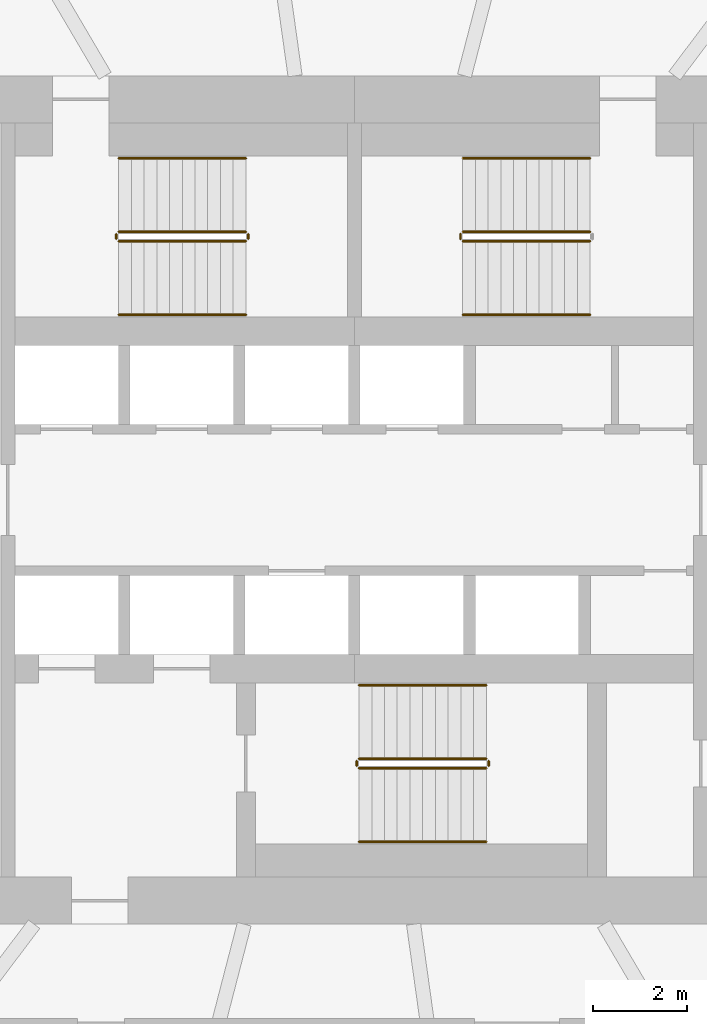
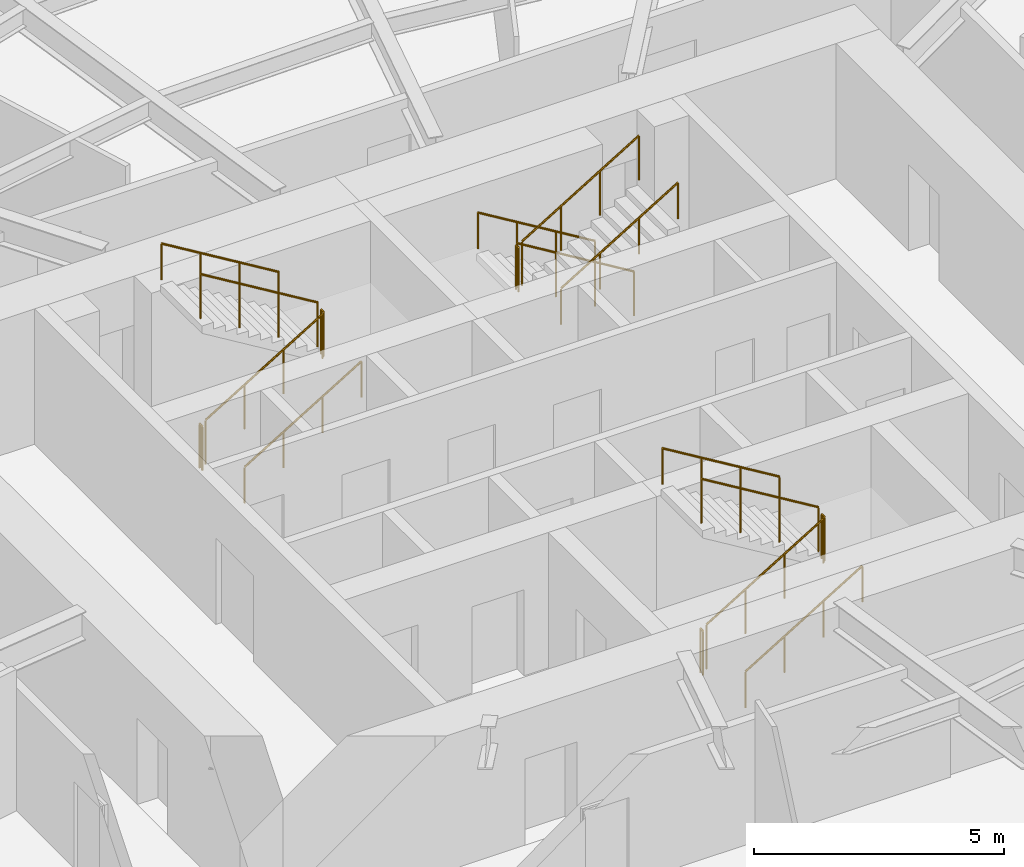
# One storey, part 13 of 16: 17 railings.
"""IFC4 building model written with IfcOpenShell, lengths in metres."""

from ifc_helpers import new_model, si_unit, direction, frame, origin, origin_2d, place, context, subcontext, project, spatial, circle, extrude, material, type_object, element, save


model = new_model("IFC4")

# Units and contexts
model_context = context("Model", 3, precision=1e-05, world=origin(), true_north=direction((0.0, 1.0)))
body_context = subcontext(model_context, "Body", "Model", "MODEL_VIEW")
ifc_project = project(units=[si_unit("LENGTHUNIT", "METRE"), si_unit("AREAUNIT", "SQUARE_METRE"), si_unit("VOLUMEUNIT", "CUBIC_METRE"), si_unit("PLANEANGLEUNIT", "RADIAN"), si_unit("MASSUNIT", "GRAM", prefix="KILO")], contexts=[model_context])

# Site, building, storey
site_placement = place(None, origin())
site = spatial("IfcSite", under=ifc_project, at=site_placement, CompositionType="ELEMENT")
building_placement = place(site_placement, origin())
building = spatial("IfcBuilding", under=site, at=building_placement, Name="Vermilion Reach Broadcast Tower", CompositionType="ELEMENT")
storey_placement = place(building_placement, frame((0.0, 0.0, 103.0)))
storey = spatial("IfcBuildingStorey", under=building, at=storey_placement, Name="L23", CompositionType="ELEMENT", Elevation=103.0)

# Railings
ifc_material_1 = material(Name="Stainless steel", Category="steel")
railing_type_1 = type_object("IfcRailingType", Name="Stair guard 1100", PredefinedType="GUARDRAIL", material=ifc_material_1)
railing_1_placement = place(storey_placement, frame((-11.0, 5.489990234375, 0.16357421875)))
element("IfcRailing", 1, at=railing_1_placement, inside=storey, type_object=railing_type_1, Name="L23 ST1 stair guard 1", PredefinedType="GUARDRAIL", context=body_context, shape_type="SweptSolid", body=[
    extrude(circle(Radius=0.02392578125, at=origin_2d()), frame((0.0, 0.0, 1.076171875), z_axis=(0.855178096276, 0.0, 0.518334277904), x_axis=(0.0, 1.0, 0.0)), (0.0, 0.0, 1.0), 3.1572265625),
    extrude(circle(Radius=0.02099609375, at=origin_2d()), origin(), (0.0, 0.0, 1.0), 1.052001953125),
    extrude(circle(Radius=0.02099609375, at=origin_2d()), frame((0.89990234375, 0.0, 0.54541015625)), (0.0, 0.0, 1.0), 1.052001953125),
    extrude(circle(Radius=0.02099609375, at=origin_2d()), frame((1.800048828125, 0.0, 1.091064453125)), (0.0, 0.0, 1.0), 1.052001953125),
    extrude(circle(Radius=0.02099609375, at=origin_2d()), frame((2.699951171875, 0.0, 1.636474609375)), (0.0, 0.0, 1.0), 1.052001953125),
])
railing_2_placement = place(storey_placement, frame((-8.25, 5.5400390625, 1.800048828125)))
element("IfcRailing", 2, at=railing_2_placement, inside=storey, type_object=railing_type_1, Name="L23 ST1 stair guard 2", PredefinedType="GUARDRAIL", context=body_context, shape_type="SweptSolid", body=[
    extrude(circle(Radius=0.02392578125, at=origin_2d()), frame((0.0, 0.0, 1.076171875), z_axis=(0.0, 1.0, 0.0), x_axis=(-1.0, 0.0, 0.0)), (0.0, 0.0, 1.0), 0.099853515625),
    extrude(circle(Radius=0.02099609375, at=origin_2d()), origin(), (0.0, 0.0, 1.0), 1.052001953125),
    extrude(circle(Radius=0.02099609375, at=origin_2d()), frame((0.0, 0.099853515625, 0.0)), (0.0, 0.0, 1.0), 1.052001953125),
])
railing_3_placement = place(storey_placement, frame((-8.300048828125, 5.68994140625, 1.963623046875)))
element("IfcRailing", 3, at=railing_3_placement, inside=storey, type_object=railing_type_1, Name="L23 ST1 stair guard 3", PredefinedType="GUARDRAIL", context=body_context, shape_type="SweptSolid", body=[
    extrude(circle(Radius=0.02392578125, at=origin_2d()), frame((0.0, 0.0, 1.076171875), z_axis=(-0.855178096276, 0.0, 0.518334277904), x_axis=(0.0, -1.0, 0.0)), (0.0, 0.0, 1.0), 3.1572265625),
    extrude(circle(Radius=0.02099609375, at=origin_2d()), origin(), (0.0, 0.0, 1.0), 1.052001953125),
    extrude(circle(Radius=0.02099609375, at=origin_2d()), frame((-0.89990234375, 0.0, 0.54541015625)), (0.0, 0.0, 1.0), 1.052001953125),
    extrude(circle(Radius=0.02099609375, at=origin_2d()), frame((-1.800048828125, 0.0, 1.091064453125)), (0.0, 0.0, 1.0), 1.052001953125),
    extrude(circle(Radius=0.02099609375, at=origin_2d()), frame((-2.699951171875, 0.0, 1.636474609375)), (0.0, 0.0, 1.0), 1.052001953125),
])
railing_4_placement = place(storey_placement, frame((-11.050048828125, 5.5400390625, 0.0)))
element("IfcRailing", 4, at=railing_4_placement, inside=storey, type_object=railing_type_1, Name="L23 ST1 stair guard 4", PredefinedType="GUARDRAIL", context=body_context, shape_type="SweptSolid", body=[
    extrude(circle(Radius=0.02392578125, at=origin_2d()), frame((0.0, 0.0, 1.076171875), z_axis=(0.0, 1.0, 0.0), x_axis=(-1.0, 0.0, 0.0)), (0.0, 0.0, 1.0), 0.099853515625),
    extrude(circle(Radius=0.02099609375, at=origin_2d()), origin(), (0.0, 0.0, 1.0), 1.052001953125),
    extrude(circle(Radius=0.02099609375, at=origin_2d()), frame((0.0, 0.099853515625, 0.0)), (0.0, 0.0, 1.0), 1.052001953125),
])
railing_5_placement = place(storey_placement, frame((-1.0, 5.68994140625, 0.16357421875)))
element("IfcRailing", 5, at=railing_5_placement, inside=storey, type_object=railing_type_1, Name="L23 ST2 stair guard 1", PredefinedType="GUARDRAIL", context=body_context, shape_type="SweptSolid", body=[
    extrude(circle(Radius=0.02392578125, at=origin_2d()), frame((0.0, 0.0, 1.076171875), z_axis=(-0.855178096276, 0.0, 0.518334277904), x_axis=(0.0, -1.0, 0.0)), (0.0, 0.0, 1.0), 3.1572265625),
    extrude(circle(Radius=0.02099609375, at=origin_2d()), origin(), (0.0, 0.0, 1.0), 1.052001953125),
    extrude(circle(Radius=0.02099609375, at=origin_2d()), frame((-0.89990234375, 0.0, 0.54541015625)), (0.0, 0.0, 1.0), 1.052001953125),
    extrude(circle(Radius=0.02099609375, at=origin_2d()), frame((-1.800048828125, 0.0, 1.091064453125)), (0.0, 0.0, 1.0), 1.052001953125),
    extrude(circle(Radius=0.02099609375, at=origin_2d()), frame((-2.699951171875, 0.0, 1.636474609375)), (0.0, 0.0, 1.0), 1.052001953125),
])
railing_6_placement = place(storey_placement, frame((-3.75, 5.639892578125, 1.800048828125)))
element("IfcRailing", 6, at=railing_6_placement, inside=storey, type_object=railing_type_1, Name="L23 ST2 stair guard 2", PredefinedType="GUARDRAIL", context=body_context, shape_type="SweptSolid", body=[
    extrude(circle(Radius=0.02392578125, at=origin_2d()), frame((0.0, 0.0, 1.076171875), z_axis=(0.0, -1.0, 0.0), x_axis=(1.0, 0.0, 0.0)), (0.0, 0.0, 1.0), 0.099853515625),
    extrude(circle(Radius=0.02099609375, at=origin_2d()), origin(), (0.0, 0.0, 1.0), 1.052001953125),
    extrude(circle(Radius=0.02099609375, at=origin_2d()), frame((0.0, -0.099853515625, 0.0)), (0.0, 0.0, 1.0), 1.052001953125),
])
for number, where, name in (
    (7, (-3.699951171875, 5.489990234375, 1.963623046875), "L23 ST2 stair guard 3"),
    (8, (-5.89990234375, -5.68994140625, 0.16357421875), "L23 ST3 stair guard 1"),
):
    element("IfcRailing", number, at=place(storey_placement, frame(where)), inside=storey, type_object=railing_type_1, Name=name, PredefinedType="GUARDRAIL", context=body_context, shape_type="SweptSolid", body=[
        extrude(circle(Radius=0.02392578125, at=origin_2d()), frame((0.0, 0.0, 1.076171875), z_axis=(0.855178096276, 0.0, 0.518334277904), x_axis=(0.0, 1.0, 0.0)), (0.0, 0.0, 1.0), 3.1572265625),
        extrude(circle(Radius=0.02099609375, at=origin_2d()), origin(), (0.0, 0.0, 1.0), 1.052001953125),
        extrude(circle(Radius=0.02099609375, at=origin_2d()), frame((0.89990234375, 0.0, 0.54541015625)), (0.0, 0.0, 1.0), 1.052001953125),
        extrude(circle(Radius=0.02099609375, at=origin_2d()), frame((1.800048828125, 0.0, 1.091064453125)), (0.0, 0.0, 1.0), 1.052001953125),
        extrude(circle(Radius=0.02099609375, at=origin_2d()), frame((2.699951171875, 0.0, 1.636474609375)), (0.0, 0.0, 1.0), 1.052001953125),
    ])
railing_7_placement = place(storey_placement, frame((-3.14990234375, -5.639892578125, 1.800048828125)))
element("IfcRailing", 9, at=railing_7_placement, inside=storey, type_object=railing_type_1, Name="L23 ST3 stair guard 2", PredefinedType="GUARDRAIL", context=body_context, shape_type="SweptSolid", body=[
    extrude(circle(Radius=0.02392578125, at=origin_2d()), frame((0.0, 0.0, 1.076171875), z_axis=(0.0, 1.0, 0.0), x_axis=(-1.0, 0.0, 0.0)), (0.0, 0.0, 1.0), 0.099853515625),
    extrude(circle(Radius=0.02099609375, at=origin_2d()), origin(), (0.0, 0.0, 1.0), 1.052001953125),
    extrude(circle(Radius=0.02099609375, at=origin_2d()), frame((0.0, 0.099853515625, 0.0)), (0.0, 0.0, 1.0), 1.052001953125),
])
railing_8_placement = place(storey_placement, frame((-3.199951171875, -5.489990234375, 1.963623046875)))
element("IfcRailing", 10, at=railing_8_placement, inside=storey, type_object=railing_type_1, Name="L23 ST3 stair guard 3", PredefinedType="GUARDRAIL", context=body_context, shape_type="SweptSolid", body=[
    extrude(circle(Radius=0.02392578125, at=origin_2d()), frame((0.0, 0.0, 1.076171875), z_axis=(-0.855178096276, 0.0, 0.518334277904), x_axis=(0.0, -1.0, 0.0)), (0.0, 0.0, 1.0), 3.1572265625),
    extrude(circle(Radius=0.02099609375, at=origin_2d()), origin(), (0.0, 0.0, 1.0), 1.052001953125),
    extrude(circle(Radius=0.02099609375, at=origin_2d()), frame((-0.89990234375, 0.0, 0.54541015625)), (0.0, 0.0, 1.0), 1.052001953125),
    extrude(circle(Radius=0.02099609375, at=origin_2d()), frame((-1.800048828125, 0.0, 1.091064453125)), (0.0, 0.0, 1.0), 1.052001953125),
    extrude(circle(Radius=0.02099609375, at=origin_2d()), frame((-2.699951171875, 0.0, 1.636474609375)), (0.0, 0.0, 1.0), 1.052001953125),
])
railing_9_placement = place(storey_placement, frame((-5.949951171875, -5.639892578125, 0.0)))
element("IfcRailing", 11, at=railing_9_placement, inside=storey, type_object=railing_type_1, Name="L23 ST3 stair guard 4", PredefinedType="GUARDRAIL", context=body_context, shape_type="SweptSolid", body=[
    extrude(circle(Radius=0.02392578125, at=origin_2d()), frame((0.0, 0.0, 1.076171875), z_axis=(0.0, 1.0, 0.0), x_axis=(-1.0, 0.0, 0.0)), (0.0, 0.0, 1.0), 0.099853515625),
    extrude(circle(Radius=0.02099609375, at=origin_2d()), origin(), (0.0, 0.0, 1.0), 1.052001953125),
    extrude(circle(Radius=0.02099609375, at=origin_2d()), frame((0.0, 0.099853515625, 0.0)), (0.0, 0.0, 1.0), 1.052001953125),
])
ifc_material_2 = material(Name="Stainless steel", Category="steel")
railing_type_2 = type_object("IfcRailingType", Name="Stair handrail", PredefinedType="HANDRAIL", material=ifc_material_2)
railing_10_placement = place(storey_placement, frame((-11.0, 3.929931640625, 0.16357421875)))
element("IfcRailing", 12, at=railing_10_placement, inside=storey, type_object=railing_type_2, Name="L23 ST1 stair handrail 1", PredefinedType="HANDRAIL", context=body_context, shape_type="SweptSolid", body=[
    extrude(circle(Radius=0.02392578125, at=origin_2d()), frame((0.0, 0.0, 0.8759765625), z_axis=(0.855178096276, 0.0, 0.518334277904), x_axis=(0.0, 1.0, 0.0)), (0.0, 0.0, 1.0), 3.1572265625),
    extrude(circle(Radius=0.02099609375, at=origin_2d()), origin(), (0.0, 0.0, 1.0), 0.851806640625),
    extrude(circle(Radius=0.02099609375, at=origin_2d()), frame((0.89990234375, 0.0, 0.54541015625)), (0.0, 0.0, 1.0), 0.851806640625),
    extrude(circle(Radius=0.02099609375, at=origin_2d()), frame((1.800048828125, 0.0, 1.091064453125)), (0.0, 0.0, 1.0), 0.851806640625),
    extrude(circle(Radius=0.02099609375, at=origin_2d()), frame((2.699951171875, 0.0, 1.636474609375)), (0.0, 0.0, 1.0), 0.851806640625),
])
for number, where, name in (
    (13, (-8.300048828125, 7.25, 1.963623046875), "L23 ST1 stair handrail 2"),
    (14, (-1.0, 7.25, 0.16357421875), "L23 ST2 stair handrail 1"),
):
    element("IfcRailing", number, at=place(storey_placement, frame(where)), inside=storey, type_object=railing_type_2, Name=name, PredefinedType="HANDRAIL", context=body_context, shape_type="SweptSolid", body=[
        extrude(circle(Radius=0.02392578125, at=origin_2d()), frame((0.0, 0.0, 0.8759765625), z_axis=(-0.855178096276, 0.0, 0.518334277904), x_axis=(0.0, -1.0, 0.0)), (0.0, 0.0, 1.0), 3.1572265625),
        extrude(circle(Radius=0.02099609375, at=origin_2d()), origin(), (0.0, 0.0, 1.0), 0.851806640625),
        extrude(circle(Radius=0.02099609375, at=origin_2d()), frame((-0.89990234375, 0.0, 0.54541015625)), (0.0, 0.0, 1.0), 0.851806640625),
        extrude(circle(Radius=0.02099609375, at=origin_2d()), frame((-1.800048828125, 0.0, 1.091064453125)), (0.0, 0.0, 1.0), 0.851806640625),
        extrude(circle(Radius=0.02099609375, at=origin_2d()), frame((-2.699951171875, 0.0, 1.636474609375)), (0.0, 0.0, 1.0), 0.851806640625),
    ])
for number, where, name in (
    (15, (-3.699951171875, 3.929931640625, 1.963623046875), "L23 ST2 stair handrail 2"),
    (16, (-5.89990234375, -7.25, 0.16357421875), "L23 ST3 stair handrail 1"),
):
    element("IfcRailing", number, at=place(storey_placement, frame(where)), inside=storey, type_object=railing_type_2, Name=name, PredefinedType="HANDRAIL", context=body_context, shape_type="SweptSolid", body=[
        extrude(circle(Radius=0.02392578125, at=origin_2d()), frame((0.0, 0.0, 0.8759765625), z_axis=(0.855178096276, 0.0, 0.518334277904), x_axis=(0.0, 1.0, 0.0)), (0.0, 0.0, 1.0), 3.1572265625),
        extrude(circle(Radius=0.02099609375, at=origin_2d()), origin(), (0.0, 0.0, 1.0), 0.851806640625),
        extrude(circle(Radius=0.02099609375, at=origin_2d()), frame((0.89990234375, 0.0, 0.54541015625)), (0.0, 0.0, 1.0), 0.851806640625),
        extrude(circle(Radius=0.02099609375, at=origin_2d()), frame((1.800048828125, 0.0, 1.091064453125)), (0.0, 0.0, 1.0), 0.851806640625),
        extrude(circle(Radius=0.02099609375, at=origin_2d()), frame((2.699951171875, 0.0, 1.636474609375)), (0.0, 0.0, 1.0), 0.851806640625),
    ])
railing_11_placement = place(storey_placement, frame((-3.199951171875, -3.929931640625, 1.963623046875)))
element("IfcRailing", 17, at=railing_11_placement, inside=storey, type_object=railing_type_2, Name="L23 ST3 stair handrail 2", PredefinedType="HANDRAIL", context=body_context, shape_type="SweptSolid", body=[
    extrude(circle(Radius=0.02392578125, at=origin_2d()), frame((0.0, 0.0, 0.8759765625), z_axis=(-0.855178096276, 0.0, 0.518334277904), x_axis=(0.0, -1.0, 0.0)), (0.0, 0.0, 1.0), 3.1572265625),
    extrude(circle(Radius=0.02099609375, at=origin_2d()), origin(), (0.0, 0.0, 1.0), 0.851806640625),
    extrude(circle(Radius=0.02099609375, at=origin_2d()), frame((-0.89990234375, 0.0, 0.54541015625)), (0.0, 0.0, 1.0), 0.851806640625),
    extrude(circle(Radius=0.02099609375, at=origin_2d()), frame((-1.800048828125, 0.0, 1.091064453125)), (0.0, 0.0, 1.0), 0.851806640625),
    extrude(circle(Radius=0.02099609375, at=origin_2d()), frame((-2.699951171875, 0.0, 1.636474609375)), (0.0, 0.0, 1.0), 0.851806640625),
])

save(model, "model.ifc")
